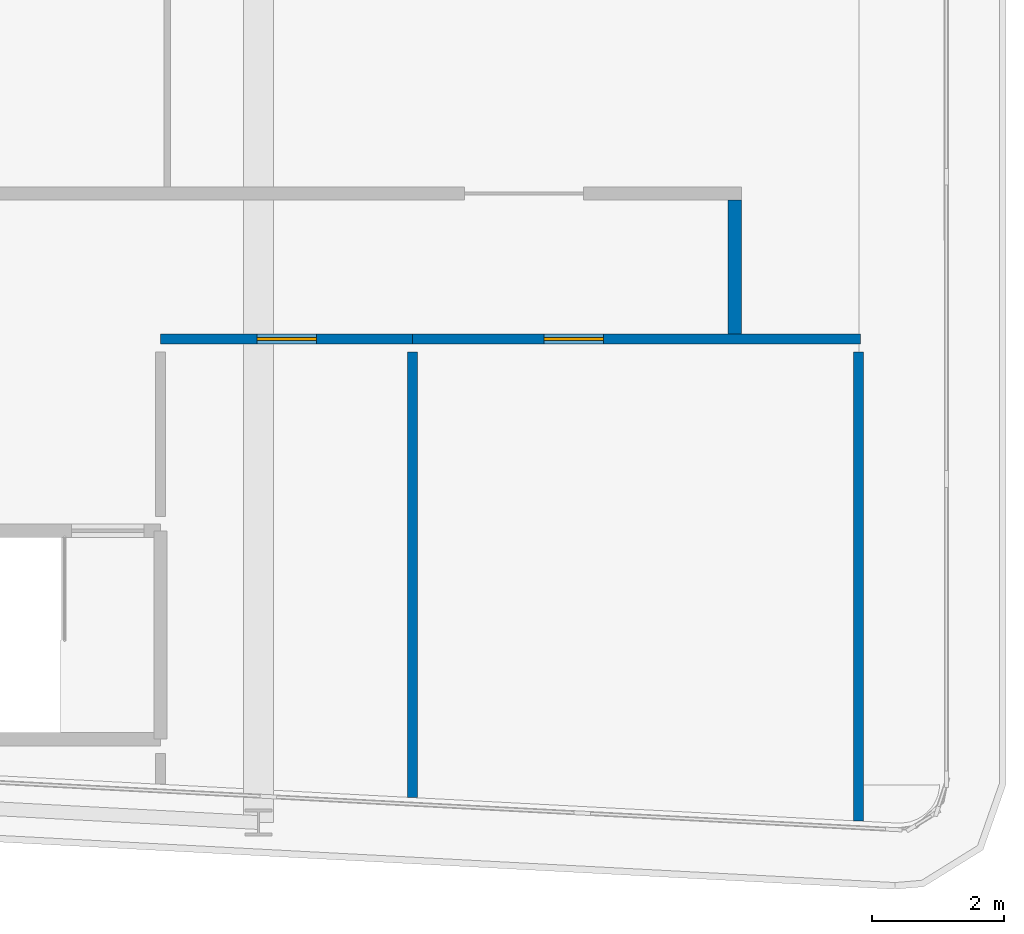
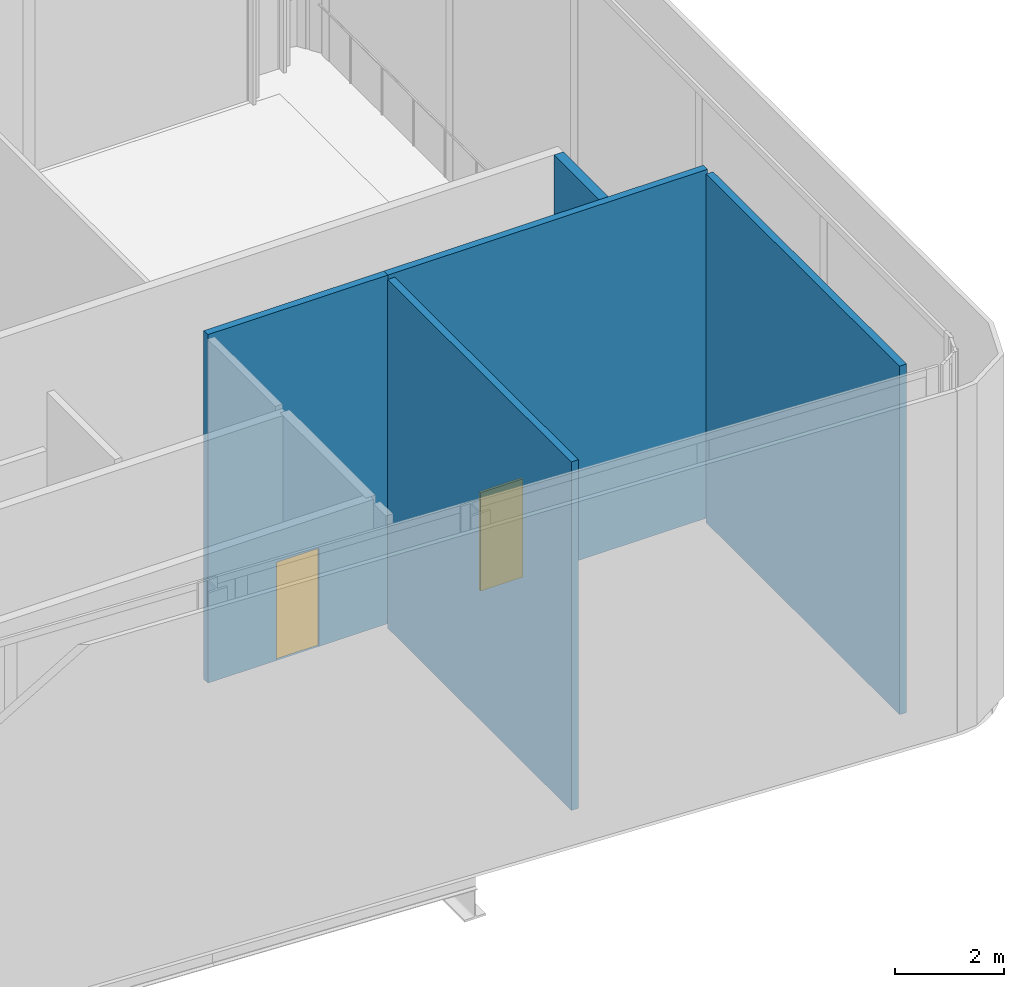
# One storey, part 30 of 38: 5 walls, 2 doors, 2 openings.
"""IFC4 building model written with IfcOpenShell, lengths in metres."""

from ifc_helpers import new_model, si_unit, direction, frame, frame_2d, origin, place, context, subcontext, project, spatial, rectangle, extrude, source, transform, mapped, material, layer, layer_set, type_object, element, fill, save


model = new_model("IFC4")

# Units and contexts
model_context = context("Model", 3, precision=1e-05, world=origin(), true_north=direction((0.0, 1.0)))
body_context = subcontext(model_context, "Body", "Model", "MODEL_VIEW")
ifc_project = project(units=[si_unit("LENGTHUNIT", "METRE"), si_unit("AREAUNIT", "SQUARE_METRE"), si_unit("VOLUMEUNIT", "CUBIC_METRE"), si_unit("PLANEANGLEUNIT", "RADIAN"), si_unit("MASSUNIT", "GRAM", prefix="KILO")], contexts=[model_context])

# Site, building, storey
site_placement = place(None, origin())
site = spatial("IfcSite", under=ifc_project, at=site_placement, CompositionType="ELEMENT")
building_placement = place(site_placement, origin())
building = spatial("IfcBuilding", under=site, at=building_placement, Name="Kheshtan School and Residences Tower", CompositionType="ELEMENT")
storey_placement = place(building_placement, frame((0.0, 0.0, 203.300048828125)))
storey = spatial("IfcBuildingStorey", under=building, at=storey_placement, Name="L48", CompositionType="ELEMENT", Elevation=203.300048828125)

# Wall
ifc_material_1 = material(Name="Gypsum board on steel studs with fire boards", Category="steel")
ifc_layer_1 = layer(ifc_material_1, 0.199951171875)
ifc_layer_set_1 = layer_set([ifc_layer_1], Name="Corridor wall 200")
wall_type_1 = type_object("IfcWallType", Name="Corridor wall 200", PredefinedType="PARTITIONING", material=ifc_layer_set_1)
wall_1_placement = place(storey_placement, frame((98.0, 28.3740234375, 0.0), z_axis=(0.0, 0.0, 1.0), x_axis=(0.0, 1.0, 0.0)))
element("IfcWall", 1, at=wall_1_placement, inside=storey, type_object=wall_type_1, Name="Partition L48-034", PredefinedType="PARTITIONING", context=body_context, shape_type="SweptSolid", body=[
    extrude(rectangle(XDim=2.02587890625, YDim=0.199951171875, at=frame_2d((1.012939453125, 0.0))), origin(), (0.0, 0.0, 1.0), 7.5),
])

# Wall, opening, door
ifc_material_2 = material(Name="Fire-board shaft wall system")
ifc_layer_2 = layer(ifc_material_2, 0.14990234375)
ifc_layer_set_2 = layer_set([ifc_layer_2], Name="Service room wall 150")
wall_type_2 = type_object("IfcWallType", Name="Service room wall 150", PredefinedType="PARTITIONING", material=ifc_layer_set_2)
wall_2_placement = place(storey_placement, frame((89.320068359375, 28.300048828125, 0.0), z_axis=(0.0, 0.0, 1.0), x_axis=(1.0, 0.0, 0.0)))
wall_2 = element("IfcWall", 2, at=wall_2_placement, inside=storey, type_object=wall_type_2, Name="Service room wall", PredefinedType="PARTITIONING", context=body_context, shape_type="SweptSolid", body=[
    extrude(rectangle(XDim=3.809814453125, YDim=0.14990234375, at=frame_2d((1.90478515625, 0.0))), origin(), (0.0, 0.0, 1.0), 7.800048828125),
])
opening_1_placement = place(wall_2_placement, frame((1.455078125, 0.0, 0.0)))
opening_1 = element("IfcOpeningElement", 3, at=opening_1_placement, cuts=wall_2, Name="Opening SR90", PredefinedType="OPENING", context=body_context, shape_type="SweptSolid", body=[
    extrude(rectangle(XDim=0.89990234375, YDim=2.199951171875, at=frame_2d((0.449951171875, 1.10009765625))), frame((0.0, 0.0849609375, 0.0), z_axis=(0.0, -1.0, 0.0), x_axis=(1.0, 0.0, 0.0)), (0.0, 0.0, 1.0), 0.169921875),
])
ifc_material_3 = material(Name="Steel door leaf, galvanised", Category="steel")
door_type = type_object("IfcDoorType", Name="Service room door 900 steel 90 min", OperationType="SINGLE_SWING_LEFT", PredefinedType="DOOR", material=ifc_material_3)
shared_shape = source(origin(), body_context, "Body", "SweptSolid", [
    extrude(rectangle(XDim=0.89990234375, YDim=2.199951171875, at=frame_2d((0.449951171875, 1.10009765625))), frame((0.0, 0.02490234375, 0.0), z_axis=(0.0, -1.0, 0.0), x_axis=(1.0, 0.0, 0.0)), (0.0, 0.0, 1.0), 0.050048828125),
])
door_1_placement = place(opening_1_placement, origin())
door_1 = element("IfcDoor", 4, at=door_1_placement, inside=storey, type_object=door_type, Name="Service room door", OperationType="SINGLE_SWING_RIGHT", OverallHeight=2.199951171875, OverallWidth=0.89990234375, PredefinedType="DOOR", context=body_context, shape_type="MappedRepresentation", body=[
    mapped(shared_shape, transform((0.0, 0.0, 0.0), x_axis=(1.0, 0.0, 0.0), y_axis=(0.0, 1.0, 0.0), z_axis=(0.0, 0.0, 1.0), scale=1.0)),
])
fill(opening_1, door_1)

# Wall
wall_3_placement = place(storey_placement, frame((93.1298828125, 21.3701171875, 0.0), z_axis=(0.0, 0.0, 1.0), x_axis=(0.0, 1.0, 0.0)))
element("IfcWall", 5, at=wall_3_placement, inside=storey, type_object=wall_type_2, Name="Service room wall", PredefinedType="PARTITIONING", context=body_context, shape_type="SweptSolid", body=[
    extrude(rectangle(XDim=6.73486328125, YDim=0.14990234375, at=frame_2d((3.367431640625, 0.0))), origin(), (0.0, 0.0, 1.0), 7.800048828125),
])

# Wall, opening, door
wall_4_placement = place(storey_placement, frame((93.1298828125, 28.300048828125, 0.0), z_axis=(0.0, 0.0, 1.0), x_axis=(1.0, 0.0, 0.0)))
wall_4 = element("IfcWall", 6, at=wall_4_placement, inside=storey, type_object=wall_type_2, Name="Service room wall", PredefinedType="PARTITIONING", context=body_context, shape_type="SweptSolid", body=[
    extrude(rectangle(XDim=6.76806640625, YDim=0.14990234375, at=frame_2d((3.384033203125, 0.0))), origin(), (0.0, 0.0, 1.0), 7.800048828125),
])
opening_2_placement = place(wall_4_placement, frame((1.985107421875, 0.0, 0.0)))
opening_2 = element("IfcOpeningElement", 7, at=opening_2_placement, cuts=wall_4, Name="Opening SR90", PredefinedType="OPENING", context=body_context, shape_type="SweptSolid", body=[
    extrude(rectangle(XDim=0.89990234375, YDim=2.199951171875, at=frame_2d((0.449951171875, 1.10009765625))), frame((0.0, 0.0849609375, 0.0), z_axis=(0.0, -1.0, 0.0), x_axis=(1.0, 0.0, 0.0)), (0.0, 0.0, 1.0), 0.169921875),
])
door_2_placement = place(opening_2_placement, origin())
door_2 = element("IfcDoor", 8, at=door_2_placement, inside=storey, type_object=door_type, Name="Service room door", OperationType="SINGLE_SWING_LEFT", OverallHeight=2.199951171875, OverallWidth=0.89990234375, PredefinedType="DOOR", context=body_context, shape_type="MappedRepresentation", body=[
    mapped(shared_shape, transform((0.0, 0.0, 0.0), x_axis=(1.0, 0.0, 0.0), y_axis=(0.0, 1.0, 0.0), z_axis=(0.0, 0.0, 1.0), scale=1.0)),
])
fill(opening_2, door_2)

# Wall
wall_5_placement = place(storey_placement, frame((99.8701171875, 21.014892578125, 0.0), z_axis=(0.0, 0.0, 1.0), x_axis=(0.0, 1.0, 0.0)))
element("IfcWall", 9, at=wall_5_placement, inside=storey, type_object=wall_type_2, Name="Service room wall", PredefinedType="PARTITIONING", context=body_context, shape_type="SweptSolid", body=[
    extrude(rectangle(XDim=7.090087890625, YDim=0.14990234375, at=frame_2d((3.544921875, 0.0))), origin(), (0.0, 0.0, 1.0), 7.800048828125),
])

save(model, "model.ifc")
